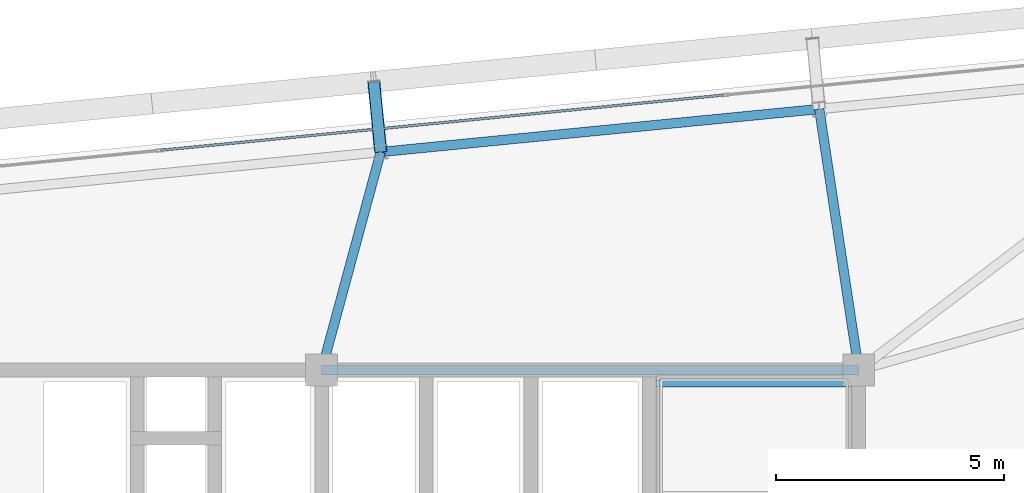
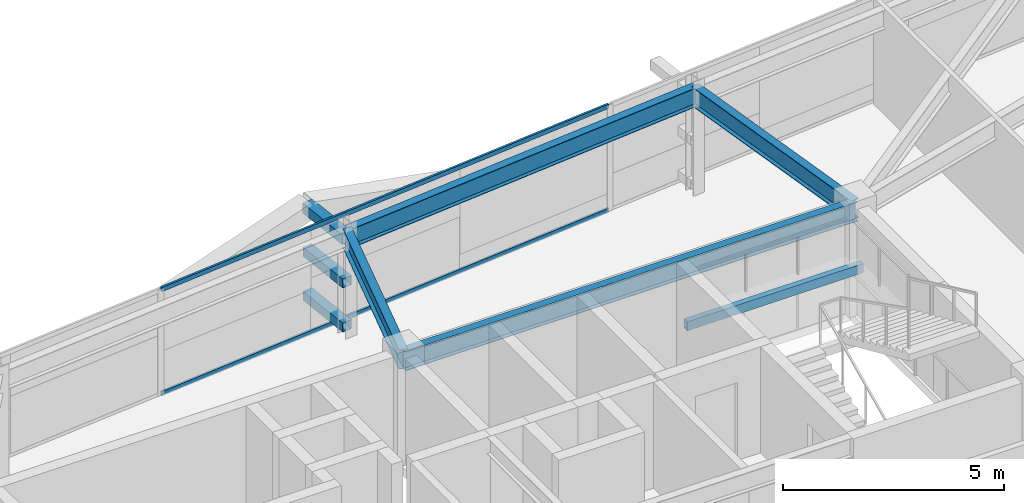
# One storey, part 28 of 47: 5 beams, 5 members, 1 element without a shape of its own.
"""IFC4 building model written with IfcOpenShell, lengths in metres."""

import ifcopenshell
import ifcopenshell.guid

model = None  # the IFC model being written
_history = None  # IfcOwnerHistory: only IFC2X3 demands one
_inside = {}  # id of a spatial element -> (the spatial element, [elements in it])
_under = {}  # id of a project, library or spatial element -> (it, [spatial elements below it])
_declared = {}  # id of a project -> (the project, [libraries it declares])
_typed = {}  # id of a type object -> (the type object, [elements of that type])
_made_of = {}  # id of a material, layer set ... -> (it, [elements and type objects made of it])


def new_model(schema):
    """Start an empty IFC model of exactly this schema.

    Asked for "IFC4X3", IfcOpenShell would pick the latest addendum, in which some entities
    have other attributes; the version numbers below select the first issue.
    IFC2X3 requires an IfcOwnerHistory on every rooted entity: one is made here for all.
    """
    global model, _history
    if schema == "IFC4X3":
        model = ifcopenshell.file(schema_version=(4, 3, 0, 0))
    else:
        model = ifcopenshell.file(schema=schema)
    _inside.clear()
    _under.clear()
    _declared.clear()
    _typed.clear()
    _made_of.clear()
    _history = None
    if model.schema == "IFC2X3":
        org = make("IfcOrganization", Name="unknown")
        user = make(
            "IfcPersonAndOrganization",
            ThePerson=make("IfcPerson", FamilyName="unknown"),
            TheOrganization=org,
        )
        app = make(
            "IfcApplication",
            ApplicationDeveloper=org,
            Version="unknown",
            ApplicationFullName="unknown",
            ApplicationIdentifier="unknown",
        )
        _history = make(
            "IfcOwnerHistory",
            OwningUser=user,
            OwningApplication=app,
            ChangeAction="ADDED",
            CreationDate=0,
        )
    return model


def make(cls, **values):
    """One entity of the class cls with the attributes given. An attribute that is None is left unset."""
    return model.create_entity(
        cls, **{name: value for name, value in values.items() if value is not None}
    )


def rooted(cls, **values):
    """An entity with a GlobalId (a new one), such as an element, a storey or a relation."""
    return make(cls, GlobalId=ifcopenshell.guid.new(), OwnerHistory=_history, **values)


def si_unit(unit_type, name, prefix=None):
    """IfcSIUnit, for example si_unit("LENGTHUNIT", "METRE", prefix="MILLI")."""
    return make("IfcSIUnit", UnitType=unit_type, Prefix=prefix, Name=name)


def assignment(units):
    """IfcUnitAssignment: the units of a project."""
    return None if units is None else make("IfcUnitAssignment", Units=units)


def point(xyz):
    """IfcCartesianPoint."""
    return None if xyz is None else make("IfcCartesianPoint", Coordinates=xyz)


def direction(xyz):
    """IfcDirection."""
    return None if xyz is None else make("IfcDirection", DirectionRatios=xyz)


def frame(location, z_axis=None, x_axis=None):
    """IfcAxis2Placement3D, a coordinate frame: its origin and axes. An axis left out is left unset."""
    return make(
        "IfcAxis2Placement3D",
        Location=point(location),
        Axis=direction(z_axis),
        RefDirection=direction(x_axis),
    )


def frame_2d(location, x_axis=None):
    """IfcAxis2Placement2D, a coordinate frame in the plane: its origin and x axis."""
    return make(
        "IfcAxis2Placement2D", Location=point(location), RefDirection=direction(x_axis)
    )


def origin():
    """The frame at (0, 0, 0) with its axes left unset."""
    return frame((0.0, 0.0, 0.0))


def origin_2d():
    """The frame at (0, 0) in the plane with its x axis left unset."""
    return frame_2d((0.0, 0.0))


def place(relative_to, where):
    """IfcLocalPlacement: puts the frame where relative to a parent placement (None: the world)."""
    return make(
        "IfcLocalPlacement", PlacementRelTo=relative_to, RelativePlacement=where
    )


def context(
    kind, dimensions, precision=None, world=None, true_north=None, identifier=None
):
    """IfcGeometricRepresentationContext, for example the 3D "Model" context."""
    return make(
        "IfcGeometricRepresentationContext",
        ContextIdentifier=identifier,
        ContextType=kind,
        CoordinateSpaceDimension=dimensions,
        Precision=precision,
        WorldCoordinateSystem=world,
        TrueNorth=true_north,
    )


def subcontext(parent, identifier, kind, view, scale=None):
    """IfcGeometricRepresentationSubContext, for example "Body" below "Model"."""
    return make(
        "IfcGeometricRepresentationSubContext",
        ContextIdentifier=identifier,
        ContextType=kind,
        ParentContext=parent,
        TargetScale=scale,
        TargetView=view,
    )


def project(units=None, contexts=None):
    """IfcProject with its units and contexts."""
    return rooted(
        "IfcProject",
        Name="project",
        RepresentationContexts=contexts,
        UnitsInContext=assignment(units),
    )


def spatial(cls, under=None, at=None, **own):
    """A site, building, storey or space (cls), placed at a placement, below another one or the project."""
    s = rooted(cls, ObjectPlacement=at, **own)
    if under is not None:
        _under.setdefault(under.id(), (under, []))[1].append(s)
    return s


def profile(cls, at=None, kind="AREA", **sizes):
    """A parametric profile (cls). Its sizes go by their IFC names, for example OverallWidth=200.0."""
    return make(cls, ProfileType=kind, Position=at, **sizes)


def hollow_rectangle(**sizes):
    """IfcRectangleHollowProfileDef."""
    return profile("IfcRectangleHollowProfileDef", **sizes)


def i_section(**sizes):
    """IfcIShapeProfileDef."""
    return profile("IfcIShapeProfileDef", **sizes)


def extrude(swept, where, along, depth):
    """IfcExtrudedAreaSolid: the profile swept, set in the frame where, extruded along a direction by depth."""
    return make(
        "IfcExtrudedAreaSolid",
        SweptArea=swept,
        Position=where,
        ExtrudedDirection=direction(along),
        Depth=depth,
    )


def shape(context_of_items, identifier, shape_type, items):
    """IfcShapeRepresentation: the items that make up one representation, for example the "Body"."""
    return make(
        "IfcShapeRepresentation",
        ContextOfItems=context_of_items,
        RepresentationIdentifier=identifier,
        RepresentationType=shape_type,
        Items=items,
    )


def source(mapping_origin, context_of_items, identifier, shape_type, items):
    """IfcRepresentationMap: a shape defined once, which mapped items show again and again."""
    return make(
        "IfcRepresentationMap",
        MappingOrigin=mapping_origin,
        MappedRepresentation=shape(context_of_items, identifier, shape_type, items),
    )


def transform(
    local_origin,
    x_axis=None,
    y_axis=None,
    z_axis=None,
    scale=None,
    scale2=None,
    scale3=None,
    uniform=True,
):
    """IfcCartesianTransformationOperator3D, or its non-uniform kind. x_axis, y_axis, z_axis: its Axis1, 2, 3."""
    if uniform:
        return make(
            "IfcCartesianTransformationOperator3D",
            Axis1=direction(x_axis),
            Axis2=direction(y_axis),
            LocalOrigin=point(local_origin),
            Scale=scale,
            Axis3=direction(z_axis),
        )
    return make(
        "IfcCartesianTransformationOperator3DnonUniform",
        Axis1=direction(x_axis),
        Axis2=direction(y_axis),
        LocalOrigin=point(local_origin),
        Scale=scale,
        Axis3=direction(z_axis),
        Scale2=scale2,
        Scale3=scale3,
    )


def mapped(mapping_source, mapping_target):
    """IfcMappedItem: shows the shape of a source again, moved by a transform."""
    return make(
        "IfcMappedItem", MappingSource=mapping_source, MappingTarget=mapping_target
    )


def material(Name=None, Category=None):
    """IfcMaterial."""
    return make("IfcMaterial", Name=Name, Category=Category)


def layer(
    of_material, thickness, ventilated=None, Name=None, Category=None, Priority=None
):
    """IfcMaterialLayer: one layer of a wall or slab, of a material (None: an air gap)."""
    return make(
        "IfcMaterialLayer",
        Material=of_material,
        LayerThickness=thickness,
        IsVentilated=ventilated,
        Name=Name,
        Category=Category,
        Priority=Priority,
    )


def layer_set(layers, Name=None):
    """IfcMaterialLayerSet."""
    return make("IfcMaterialLayerSet", MaterialLayers=layers, LayerSetName=Name)


def material_profile(
    of_material, cross_section, Name=None, Category=None, Priority=None
):
    """IfcMaterialProfile: a cross section and its material."""
    return make(
        "IfcMaterialProfile",
        Name=Name,
        Material=of_material,
        Profile=cross_section,
        Priority=Priority,
        Category=Category,
    )


def profile_set(profiles, Name=None, composite=None):
    """IfcMaterialProfileSet."""
    return make(
        "IfcMaterialProfileSet",
        Name=Name,
        MaterialProfiles=profiles,
        CompositeProfile=composite,
    )


def made_of(thing, what):
    """Note that an element or type object is made of a material, layer set ...; save() writes the relation."""
    if what is not None:
        _made_of.setdefault(what.id(), (what, []))[1].append(thing)
    return thing


def type_object(cls, material=None, **own):
    """A type object (cls), such as IfcWallType, which elements share."""
    return made_of(rooted(cls, **own), material)


def element(
    cls,
    number,
    at=None,
    inside=None,
    cuts=None,
    type_object=None,
    material=None,
    context=None,
    identifier="Body",
    shape_type=None,
    held_by="IfcProductDefinitionShape",
    body=None,
    shapes=None,
    **own,
):
    """One element of the class cls, such as IfcWall. Its Tag is "e" and its number.

    at: its placement. inside: the storey or other place that contains it. cuts: it is an
    opening in that element (IfcRelVoidsElement). A single representation is given by context,
    identifier, shape_type and body (its items); several are given by shapes. held_by: the class
    of the entity that holds the representations. save() writes the other relations.
    """
    e = rooted(cls, Tag="e%d" % number, ObjectPlacement=at, **own)
    if body is not None:
        shapes = [shape(context, identifier, shape_type, body)]
    if shapes is not None:
        e.Representation = make(held_by, Representations=shapes)
    if inside is not None:
        _inside.setdefault(inside.id(), (inside, []))[1].append(e)
    if cuts is not None:
        rooted(
            "IfcRelVoidsElement", RelatingBuildingElement=cuts, RelatedOpeningElement=e
        )
    if type_object is not None:
        _typed.setdefault(type_object.id(), (type_object, []))[1].append(e)
    return made_of(e, material)


def aggregate(whole, parts):
    """IfcRelAggregates: a whole, such as a stair, and the parts it consists of."""
    return rooted("IfcRelAggregates", RelatingObject=whole, RelatedObjects=parts)


def save(model, path):
    """Write the relations noted so far, then the file.

    IfcRelAggregates (storeys below a building ...), IfcRelContainedInSpatialStructure (elements
    in a storey), IfcRelDefinesByType, IfcRelAssociatesMaterial and IfcRelDeclares: one each for
    every whole, place, type object, material and project.
    """
    for whole, parts in _under.values():
        aggregate(whole, parts)
    for where, things in _inside.values():
        rooted(
            "IfcRelContainedInSpatialStructure",
            RelatedElements=things,
            RelatingStructure=where,
        )
    for kind, things in _typed.values():
        rooted("IfcRelDefinesByType", RelatedObjects=things, RelatingType=kind)
    for what, things in _made_of.values():
        rooted("IfcRelAssociatesMaterial", RelatedObjects=things, RelatingMaterial=what)
    for by, libraries in _declared.values():
        rooted("IfcRelDeclares", RelatingContext=by, RelatedDefinitions=libraries)
    model.write(path)


model = new_model("IFC4")

# Units and contexts
model_context = context("Model", 3, precision=1e-05, world=origin(), true_north=direction((0.0, 1.0)))
body_context = subcontext(model_context, "Body", "Model", "MODEL_VIEW")
ifc_project = project(units=[si_unit("LENGTHUNIT", "METRE"), si_unit("AREAUNIT", "SQUARE_METRE"), si_unit("VOLUMEUNIT", "CUBIC_METRE"), si_unit("PLANEANGLEUNIT", "RADIAN"), si_unit("MASSUNIT", "GRAM", prefix="KILO")], contexts=[model_context])

# Site, building, storey
site_placement = place(None, origin())
site = spatial("IfcSite", under=ifc_project, at=site_placement, CompositionType="ELEMENT")
building_placement = place(site_placement, origin())
building = spatial("IfcBuilding", under=site, at=building_placement, Name="Taldren Reach Tower", CompositionType="ELEMENT")
storey_placement = place(building_placement, frame((0.0, 0.0, 87.14990234375)))
storey = spatial("IfcBuildingStorey", under=building, at=storey_placement, Name="L26", CompositionType="ELEMENT", Elevation=87.14990234375)

# Beam
ifc_material_1 = material(Name="Steel Gr 350 (350PLUS)", Category="steel")
ifc_material_profile_1 = material_profile(ifc_material_1, i_section(OverallWidth=0.208984375, OverallDepth=0.532958984375, WebThickness=0.01025390625, FlangeThickness=0.015625, at=origin_2d()), Name="530UB92.4")
ifc_profile_set_1 = profile_set([ifc_material_profile_1], Name="Steel Gr 350 (350PLUS)")
beam_type_1 = type_object("IfcBeamType", Name="BM-UB530A", PredefinedType="BEAM", material=ifc_profile_set_1)
shared_shape_1 = source(origin(), body_context, "Body", "SweptSolid", [
    extrude(i_section(OverallWidth=0.208984375, OverallDepth=0.532958984375, WebThickness=0.01025390625, FlangeThickness=0.015625, at=origin_2d()), origin(), (0.0, 0.0, 1.0), 11.800048828125),
])
beam_1_placement = place(storey_placement, frame((39.199951171875, 32.0, 2.66357421875), z_axis=(1.0, 0.0, 0.0), x_axis=(0.0, 1.0, 0.0)))
element("IfcBeam", 1, at=beam_1_placement, inside=storey, type_object=beam_type_1, Name="Core-spine girder L26-SP06", PredefinedType="BEAM", context=body_context, shape_type="MappedRepresentation", body=[
    mapped(shared_shape_1, transform((0.0, 0.0, 0.0), scale=1.0)),
])

# Members
ifc_material_2 = material(Name="Steel Gr 450 (C450L0)", Category="steel")
ifc_material_profile_2 = material_profile(ifc_material_2, hollow_rectangle(XDim=0.27490234375, YDim=0.27490234375, WallThickness=0.00927734375, at=origin_2d()), Name="275x275x9.3SHS")
ifc_profile_set_2 = profile_set([ifc_material_profile_2], Name="Steel Gr 450 (C450L0)")
member_type_1 = type_object("IfcMemberType", Name="MB-TIE273", PredefinedType="STRUT", material=ifc_profile_set_2)
shared_shape_2 = source(origin(), body_context, "Body", "SweptSolid", [
    extrude(hollow_rectangle(XDim=0.27490234375, YDim=0.27490234375, WallThickness=0.00927734375, at=origin_2d()), origin(), (0.0, 0.0, 1.0), 1.5498046875),
])
member_1_placement = place(storey_placement, frame((40.498291015625, 36.790771484375, 2.650146484375), z_axis=(-0.097663201064, 0.995219523099, 0.0), x_axis=(-0.995219523099, -0.097663201064, 0.0)))
element("IfcMember", 2, at=member_1_placement, inside=storey, type_object=member_type_1, Name="Exoskeleton diaphragm tie strut B2-N4 L26", PredefinedType="STRUT", context=body_context, shape_type="MappedRepresentation", body=[
    mapped(shared_shape_2, transform((0.0, 0.0, 0.0), scale=1.0)),
])
ifc_material_3 = material(Name="Steel Gr 350 (C350L0)", Category="steel")
ifc_material_profile_3 = material_profile(ifc_material_3, hollow_rectangle(XDim=0.25, YDim=0.25, WallThickness=0.010009765625, at=origin_2d()), Name="250x250x10.0SHS")
ifc_profile_set_3 = profile_set([ifc_material_profile_3], Name="Steel Gr 350 (C350L0)")
member_type_2 = type_object("IfcMemberType", Name="MB-POST250", PredefinedType="POST", material=ifc_profile_set_3)
shared_shape_3 = source(origin(), body_context, "Body", "SweptSolid", [
    extrude(hollow_rectangle(XDim=0.25, YDim=0.25, WallThickness=0.010009765625, at=origin_2d()), origin(), (0.0, 0.0, 1.0), 1.5498046875),
])
for number, where, z_axis, x_axis, name in (
    (3, (40.498291015625, 36.790771484375, 0.22021484375), (-0.097663201064, 0.995219523099, 0.0), (-0.995219523099, -0.097663201064, 0.0), "Exoskeleton base diaphragm tie strut B2-N4 L26"),
    (4, (40.498291015625, 36.790771484375, 1.43505859375), (-0.097663201064, 0.995219523099, 0.0), (-0.995219523099, -0.097663201064, 0.0), "Exoskeleton mid-tier diaphragm tie B2-N4 L26"),
):
    element("IfcMember", number, at=place(storey_placement, frame(where, z_axis=z_axis, x_axis=x_axis)), inside=storey, type_object=member_type_2, Name=name, PredefinedType="POST", context=body_context, shape_type="MappedRepresentation", body=[
        mapped(shared_shape_3, transform((0.0, 0.0, 0.0), scale=1.0)),
    ])

# Beams
ifc_material_profile_4 = material_profile(ifc_material_1, i_section(OverallWidth=0.208984375, OverallDepth=0.528076171875, WebThickness=0.009521484375, FlangeThickness=0.01318359375, at=origin_2d()), Name="530UB82.0")
ifc_profile_set_4 = profile_set([ifc_material_profile_4], Name="Steel Gr 350 (350PLUS)")
beam_type_2 = type_object("IfcBeamType", Name="SP-UB530B", PredefinedType="SPANDREL", material=ifc_profile_set_4)
shared_shape_4 = source(origin(), body_context, "Body", "SweptSolid", [
    extrude(i_section(OverallWidth=0.208984375, OverallDepth=0.528076171875, WebThickness=0.009521484375, FlangeThickness=0.01318359375, at=origin_2d()), origin(), (0.0, 0.0, 1.0), 9.679931640625),
])
beam_2_placement = place(storey_placement, frame((50.132080078125, 37.7353515625, 2.666015625), z_axis=(-0.995227612658, -0.097580730699, 0.0), x_axis=(0.097580730699, -0.995227612658, 0.0)))
element("IfcBeam", 5, at=beam_2_placement, inside=storey, type_object=beam_type_2, Name="Perimeter spandrel B2 N5-N4 L26", PredefinedType="SPANDREL", context=body_context, shape_type="MappedRepresentation", body=[
    mapped(shared_shape_4, transform((0.0, 0.0, 0.0), scale=1.0)),
])
shared_shape_5 = source(origin(), body_context, "Body", "SweptSolid", [
    extrude(i_section(OverallWidth=0.208984375, OverallDepth=0.532958984375, WebThickness=0.01025390625, FlangeThickness=0.015625, at=origin_2d()), origin(), (0.0, 0.0, 1.0), 5.800537109375),
])
beam_3_placement = place(storey_placement, frame((51.0, 32.0, 2.66357421875), z_axis=(-0.149624592867, 0.988742879221, 0.0), x_axis=(-0.988742879221, -0.149624592867, 0.0)))
element("IfcBeam", 6, at=beam_3_placement, inside=storey, type_object=beam_type_1, Name="Primary floor girder B2-N5 L26", PredefinedType="BEAM", context=body_context, shape_type="MappedRepresentation", body=[
    mapped(shared_shape_5, transform((0.0, 0.0, 0.0), scale=1.0)),
])
shared_shape_6 = source(origin(), body_context, "Body", "SweptSolid", [
    extrude(i_section(OverallWidth=0.208984375, OverallDepth=0.532958984375, WebThickness=0.01025390625, FlangeThickness=0.015625, at=origin_2d()), origin(), (0.0, 0.0, 1.0), 4.963623046875),
])
beam_4_placement = place(storey_placement, frame((39.199951171875, 32.0, 2.66357421875), z_axis=(0.261572995851, 0.965183696423, 0.0), x_axis=(-0.965183696423, 0.261572995851, 0.0)))
element("IfcBeam", 7, at=beam_4_placement, inside=storey, type_object=beam_type_1, Name="Primary floor girder B2-N4 L26", PredefinedType="BEAM", context=body_context, shape_type="MappedRepresentation", body=[
    mapped(shared_shape_6, transform((0.0, 0.0, 0.0), scale=1.0)),
])

# Curtain wall, members
ifc_material_4 = material(Name="Aluminium and Low-E Glass Unitised System", Category="aluminium")
ifc_layer = layer(ifc_material_4, 0.159912109375)
ifc_layer_set = layer_set([ifc_layer], Name="Aluminium and Low-E Glass Unitised System")
curtain_wall_type = type_object("IfcCurtainWallType", Name="CW-SYS-3", PredefinedType="NOTDEFINED", material=ifc_layer_set)
curtain_wall_placement = place(storey_placement, origin())
curtain_wall = element("IfcCurtainWall", 8, at=curtain_wall_placement, inside=storey, type_object=curtain_wall_type, Name="Unitised curtain wall CW-L26-N", PredefinedType="NOTDEFINED")
ifc_material_5 = material(Name="Anodised Aluminium 6063-T6", Category="aluminium")
ifc_material_profile_5 = material_profile(ifc_material_5, hollow_rectangle(XDim=0.054931640625, YDim=0.1201171875, WallThickness=0.0029296875, at=origin_2d()), Name="ALU-120x55x3RHS")
ifc_profile_set_5 = profile_set([ifc_material_profile_5], Name="Anodised Aluminium 6063-T6")
member_type_3 = type_object("IfcMemberType", Name="CW-TRN-135", PredefinedType="USERDEFINED", material=ifc_profile_set_5)
shared_shape_7 = source(origin(), body_context, "Body", "SweptSolid", [
    extrude(hollow_rectangle(XDim=0.054931640625, YDim=0.1201171875, WallThickness=0.0029296875, at=origin_2d()), origin(), (0.0, 0.0, 1.0), 12.43505859375),
])
member_2_placement = place(storey_placement, frame((48.03955078125, 38.04248046875, 0.027587890625), z_axis=(-0.995227964368, -0.097577143535, 0.0), x_axis=(0.097577143535, -0.995227964368, 0.0)))
member_2 = element("IfcMember", 9, at=member_2_placement, type_object=member_type_3, Name="CW-3 transom 2.1", ObjectType="TRANSOM", PredefinedType="USERDEFINED", context=body_context, shape_type="MappedRepresentation", body=[
    mapped(shared_shape_7, transform((0.0, 0.0, 0.0), scale=1.0)),
])
member_3_placement = place(storey_placement, frame((48.03955078125, 38.04248046875, 2.902587890625), z_axis=(-0.995227964368, -0.097577143535, 0.0), x_axis=(0.097577143535, -0.995227964368, 0.0)))
member_3 = element("IfcMember", 10, at=member_3_placement, type_object=member_type_3, Name="CW-3 transom 2.2", ObjectType="TRANSOM", PredefinedType="USERDEFINED", context=body_context, shape_type="MappedRepresentation", body=[
    mapped(shared_shape_7, transform((0.0, 0.0, 0.0), scale=1.0)),
])
aggregate(curtain_wall, [member_2, member_3])

# Beam
ifc_material_profile_6 = material_profile(ifc_material_3, hollow_rectangle(XDim=0.14990234375, YDim=0.25, WallThickness=0.009033203125, at=origin_2d()), Name="250x150x9.0RHS")
ifc_profile_set_6 = profile_set([ifc_material_profile_6], Name="Steel Gr 350 (C350L0)")
beam_type_3 = type_object("IfcBeamType", Name="LN-RHS250", PredefinedType="LINTEL", material=ifc_profile_set_6)
shared_shape_8 = source(origin(), body_context, "Body", "SweptSolid", [
    extrude(hollow_rectangle(XDim=0.14990234375, YDim=0.25, WallThickness=0.009033203125, at=origin_2d()), origin(), (0.0, 0.0, 1.0), 4.60009765625),
])
beam_5_placement = place(storey_placement, frame((46.39990234375, 31.699951171875, 1.27001953125), z_axis=(1.0, 0.0, 0.0), x_axis=(0.0, 1.0, 0.0)))
element("IfcBeam", 11, at=beam_5_placement, inside=storey, type_object=beam_type_3, Name="Stair half-landing support beam ST2-L26-2", PredefinedType="LINTEL", context=body_context, shape_type="MappedRepresentation", body=[
    mapped(shared_shape_8, transform((0.0, 0.0, 0.0), scale=1.0)),
])

save(model, "model.ifc")
